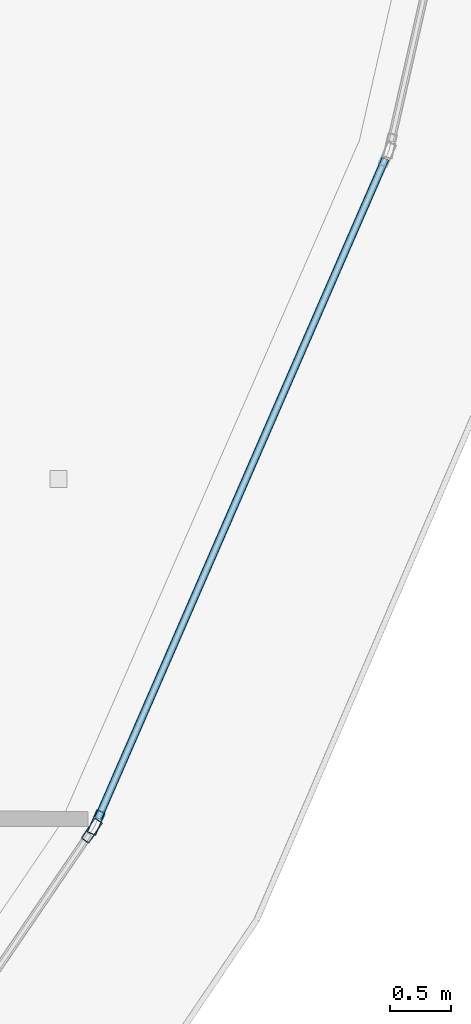
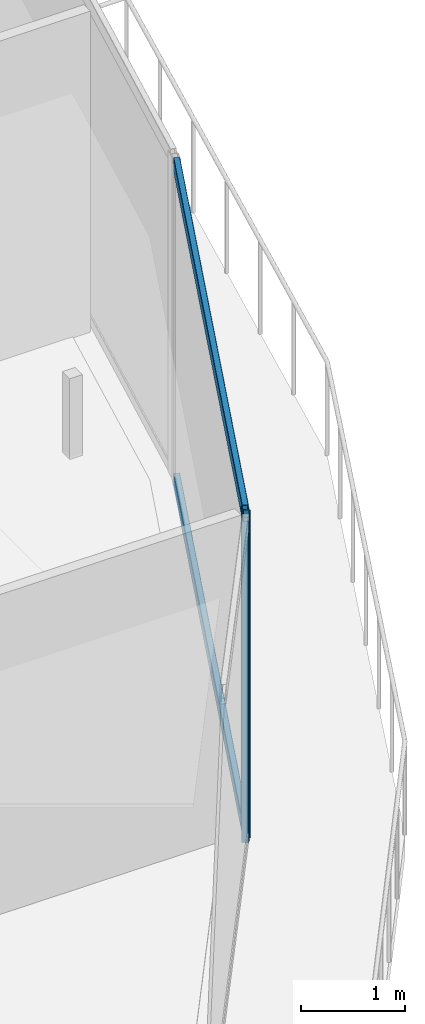
# One storey, part 12 of 36: 4 members, 2 elements without a shape of their own.
"""IFC4 building model written with IfcOpenShell, lengths in metres."""

from ifc_helpers import new_model, si_unit, direction, frame, origin, origin_2d, place, context, subcontext, project, spatial, hollow_rectangle, extrude, material, layer, layer_set, material_profile, profile_set, type_object, element, aggregate, save


model = new_model("IFC4")

# Units and contexts
model_context = context("Model", 3, precision=1e-05, world=origin(), true_north=direction((0.0, 1.0)))
body_context = subcontext(model_context, "Body", "Model", "MODEL_VIEW")
ifc_project = project(units=[si_unit("LENGTHUNIT", "METRE"), si_unit("AREAUNIT", "SQUARE_METRE"), si_unit("VOLUMEUNIT", "CUBIC_METRE"), si_unit("PLANEANGLEUNIT", "RADIAN"), si_unit("MASSUNIT", "GRAM", prefix="KILO")], contexts=[model_context])

# Site, building, storey
site_placement = place(None, origin())
site = spatial("IfcSite", under=ifc_project, at=site_placement, CompositionType="ELEMENT")
building_placement = place(site_placement, origin())
building = spatial("IfcBuilding", under=site, at=building_placement, Name="Qorvath Tower", CompositionType="ELEMENT")
storey_placement = place(building_placement, frame((0.0, 0.0, 229.35009765625)))
storey = spatial("IfcBuildingStorey", under=building, at=storey_placement, Name="L53", CompositionType="ELEMENT", Elevation=229.35009765625)

# Curtain wall, member
ifc_material_1 = material(Name="Anodised aluminium and triple low-E glass", Category="aluminium")
ifc_layer = layer(ifc_material_1, 0.179931640625)
ifc_layer_set = layer_set([ifc_layer], Name="CW-SYS-5")
curtain_wall_type = type_object("IfcCurtainWallType", Name="CW-SYS-5", PredefinedType="NOTDEFINED", material=ifc_layer_set)
curtain_wall_1_placement = place(storey_placement, origin())
curtain_wall_1 = element("IfcCurtainWall", 1, at=curtain_wall_1_placement, inside=storey, type_object=curtain_wall_type, Name="Curtain Wall CW-5 CW-T-L53-7.1", PredefinedType="NOTDEFINED")
ifc_material_2 = material(Name="Anodised aluminium 6063-T6", Category="aluminium")
ifc_material_profile_1 = material_profile(ifc_material_2, hollow_rectangle(XDim=0.074951171875, YDim=0.199951171875, WallThickness=0.00390625, InnerFilletRadius=0.00390625, OuterFilletRadius=0.008056640625, at=origin_2d()), Name="CWM 200x75")
ifc_profile_set_1 = profile_set([ifc_material_profile_1], Name="Anodised aluminium 6063-T6")
member_type_1 = type_object("IfcMemberType", Name="CWM-200", PredefinedType="MULLION", material=ifc_profile_set_1)
member_1_placement = place(storey_placement, frame((-3.05712890625, -15.639892578125, 0.0), z_axis=(0.0, 0.0, 1.0), x_axis=(-0.826490619847, 0.56295049099, 0.0)))
member_1 = element("IfcMember", 2, at=member_1_placement, type_object=member_type_1, Name="CW-5 mullion 2", PredefinedType="MULLION", context=body_context, shape_type="SweptSolid", body=[
    extrude(hollow_rectangle(XDim=0.074951171875, YDim=0.199951171875, WallThickness=0.00390625, InnerFilletRadius=0.00390625, OuterFilletRadius=0.008056640625, at=origin_2d()), origin(), (0.0, 0.0, 1.0), 3.77978515625),
])
aggregate(curtain_wall_1, [member_1])

# Curtain wall, members
curtain_wall_2_placement = place(storey_placement, origin())
curtain_wall_2 = element("IfcCurtainWall", 3, at=curtain_wall_2_placement, inside=storey, type_object=curtain_wall_type, Name="Curtain Wall CW-5 CW-T-L53-8.1", PredefinedType="NOTDEFINED")
member_2_placement = place(storey_placement, frame((-3.02099609375, -15.574462890625, 0.0), z_axis=(0.0, 0.0, 1.0), x_axis=(-0.916784683156, 0.399381828243, 0.0)))
member_2 = element("IfcMember", 4, at=member_2_placement, type_object=member_type_1, Name="CW-5 mullion 1", PredefinedType="MULLION", context=body_context, shape_type="SweptSolid", body=[
    extrude(hollow_rectangle(XDim=0.074951171875, YDim=0.199951171875, WallThickness=0.00390625, InnerFilletRadius=0.00390625, OuterFilletRadius=0.008056640625, at=origin_2d()), origin(), (0.0, 0.0, 1.0), 3.77978515625),
])
ifc_material_3 = material(Name="Anodised aluminium 6063-T6", Category="aluminium")
ifc_material_profile_2 = material_profile(ifc_material_3, hollow_rectangle(XDim=0.06494140625, YDim=0.159912109375, WallThickness=0.00341796875, InnerFilletRadius=0.00341796875, OuterFilletRadius=0.007080078125, at=origin_2d()), Name="CWT 160x65")
ifc_profile_set_2 = profile_set([ifc_material_profile_2], Name="Anodised aluminium 6063-T6")
member_type_2 = type_object("IfcMemberType", Name="CWT-160", PredefinedType="USERDEFINED", material=ifc_profile_set_2)
member_3_placement = place(storey_placement, frame((-3.005859375, -15.5400390625, 0.032470703125), z_axis=(0.399377050085, 0.916786764665, 0.0), x_axis=(-0.916786764665, 0.399377050085, 0.0)))
member_3 = element("IfcMember", 5, at=member_3_placement, type_object=member_type_2, Name="CW-5 transom 1.1", ObjectType="TRANSOM", PredefinedType="USERDEFINED", context=body_context, shape_type="SweptSolid", body=[
    extrude(hollow_rectangle(XDim=0.06494140625, YDim=0.159912109375, WallThickness=0.00341796875, InnerFilletRadius=0.00341796875, OuterFilletRadius=0.007080078125, at=origin_2d()), origin(), (0.0, 0.0, 1.0), 5.882568359375),
])
member_4_placement = place(storey_placement, frame((-3.005859375, -15.5400390625, 3.747314453125), z_axis=(0.399377050085, 0.916786764665, 0.0), x_axis=(-0.916786764665, 0.399377050085, 0.0)))
member_4 = element("IfcMember", 6, at=member_4_placement, type_object=member_type_2, Name="CW-5 transom 1.2", ObjectType="TRANSOM", PredefinedType="USERDEFINED", context=body_context, shape_type="SweptSolid", body=[
    extrude(hollow_rectangle(XDim=0.06494140625, YDim=0.159912109375, WallThickness=0.00341796875, InnerFilletRadius=0.00341796875, OuterFilletRadius=0.007080078125, at=origin_2d()), origin(), (0.0, 0.0, 1.0), 5.882568359375),
])
aggregate(curtain_wall_2, [member_2, member_3, member_4])

save(model, "model.ifc")
